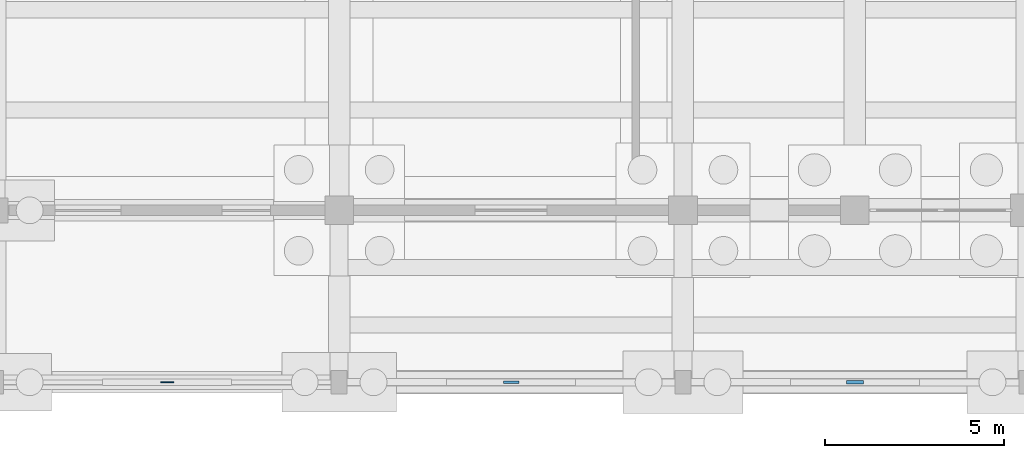
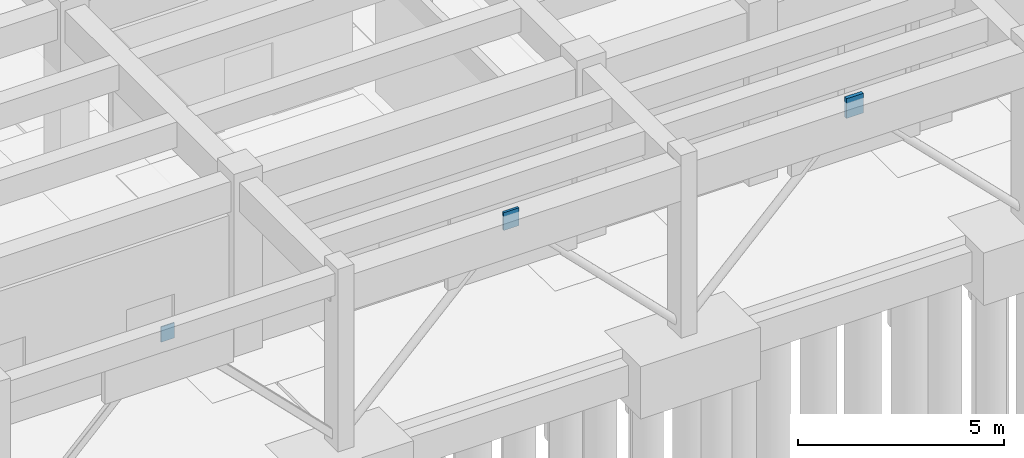
# One storey, part 67 of 102: 3 plates.
"""IFC4 building model written with IfcOpenShell, lengths in metres."""

from ifc_helpers import new_model, si_unit, direction, frame, origin, origin_2d, place, context, subcontext, project, spatial, rectangle, extrude, material, layer, layer_set, type_object, element, save


model = new_model("IFC4")

# Units and contexts
model_context = context("Model", 3, precision=1e-05, world=origin(), true_north=direction((0.0, 1.0)))
body_context = subcontext(model_context, "Body", "Model", "MODEL_VIEW")
ifc_project = project(units=[si_unit("LENGTHUNIT", "METRE"), si_unit("AREAUNIT", "SQUARE_METRE"), si_unit("VOLUMEUNIT", "CUBIC_METRE"), si_unit("PLANEANGLEUNIT", "RADIAN"), si_unit("MASSUNIT", "GRAM", prefix="KILO")], contexts=[model_context])

# Site, building, storey
site_placement = place(None, origin())
site = spatial("IfcSite", under=ifc_project, at=site_placement, CompositionType="ELEMENT")
building_placement = place(site_placement, origin())
building = spatial("IfcBuilding", under=site, at=building_placement, Name="Kolvemor Railside Polytechnic", CompositionType="ELEMENT")
storey_placement = place(building_placement, origin())
storey = spatial("IfcBuildingStorey", under=building, at=storey_placement, Name="L00", CompositionType="ELEMENT", Elevation=0.0)

# Plates
ifc_material_1 = material(Name="Steel S355", Category="steel")
ifc_layer_1 = layer(ifc_material_1, 0.028076171875, Name="PLT-GUSSET-2")
ifc_layer_set_1 = layer_set([ifc_layer_1], Name="Steel S355")
plate_type_1 = type_object("IfcPlateType", Name="PLT-GUSSET-2", PredefinedType="USERDEFINED", material=ifc_layer_set_1)
plate_1_placement = place(storey_placement, frame((43.199951171875, 0.0, 4.721923828125), z_axis=(0.0, 0.0, 1.0), x_axis=(1.0, 0.0, 0.0)))
element("IfcPlate", 1, at=plate_1_placement, inside=storey, type_object=plate_type_1, Name="Brace Chevron Gusset Plate GP-BR18", ObjectType="GUSSET PLATE", PredefinedType="USERDEFINED", context=body_context, shape_type="SweptSolid", body=[
    extrude(rectangle(XDim=0.3701171875, YDim=0.028076171875, at=origin_2d()), origin(), (0.0, 0.0, 1.0), 0.4560546875),
])
ifc_material_2 = material(Name="Steel S355", Category="steel")
ifc_layer_2 = layer(ifc_material_2, 0.068115234375, Name="PLT-GUSSET-6")
ifc_layer_set_2 = layer_set([ifc_layer_2], Name="Steel S355")
plate_type_2 = type_object("IfcPlateType", Name="PLT-GUSSET-6", PredefinedType="USERDEFINED", material=ifc_layer_set_2)
plate_2_placement = place(storey_placement, frame((52.800048828125, 0.0, 4.68603515625), z_axis=(0.0, 0.0, 1.0), x_axis=(1.0, 0.0, 0.0)))
element("IfcPlate", 2, at=plate_2_placement, inside=storey, type_object=plate_type_2, Name="Brace Chevron Gusset Plate GP-BR22", ObjectType="GUSSET PLATE", PredefinedType="USERDEFINED", context=body_context, shape_type="SweptSolid", body=[
    extrude(rectangle(XDim=0.429931640625, YDim=0.068115234375, at=origin_2d()), origin(), (0.0, 0.0, 1.0), 0.528076171875),
])
ifc_material_3 = material(Name="Steel S355", Category="steel")
ifc_layer_3 = layer(ifc_material_3, 0.097900390625, Name="PLT-GUSSET-9")
ifc_layer_set_3 = layer_set([ifc_layer_3], Name="Steel S355")
plate_type_3 = type_object("IfcPlateType", Name="PLT-GUSSET-9", PredefinedType="USERDEFINED", material=ifc_layer_set_3)
plate_3_placement = place(storey_placement, frame((62.39990234375, 0.0, 4.658935546875), z_axis=(0.0, 0.0, 1.0), x_axis=(1.0, 0.0, 0.0)))
element("IfcPlate", 3, at=plate_3_placement, inside=storey, type_object=plate_type_3, Name="Brace Chevron Gusset Plate GP-BR09", ObjectType="GUSSET PLATE", PredefinedType="USERDEFINED", context=body_context, shape_type="SweptSolid", body=[
    extrude(rectangle(XDim=0.47509765625, YDim=0.097900390625, at=origin_2d()), origin(), (0.0, 0.0, 1.0), 0.58203125),
])

save(model, "model.ifc")
